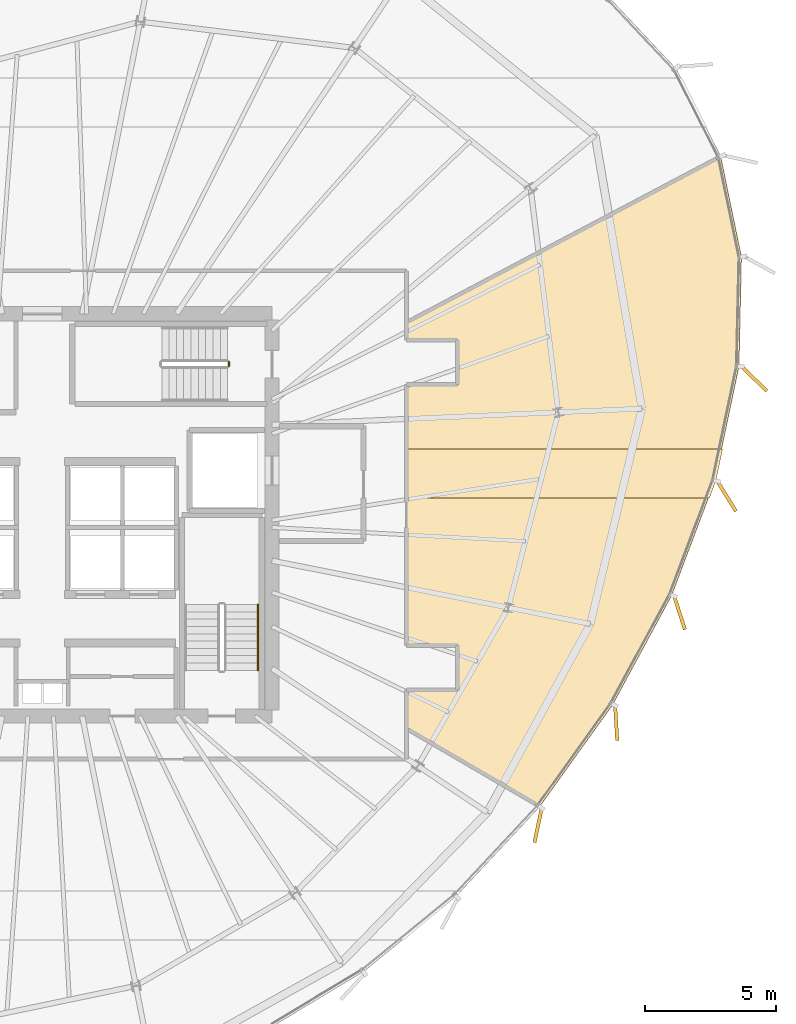
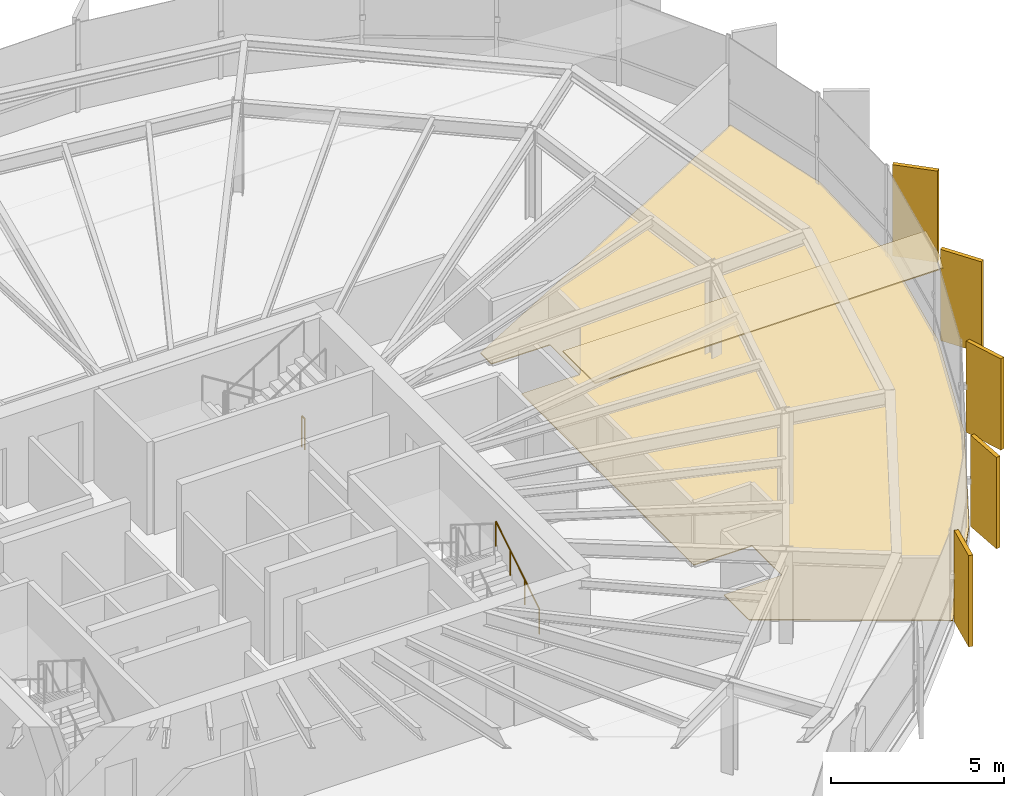
# One storey, part 35 of 36: 7 coverings, 2 railings.
"""IFC4 building model written with IfcOpenShell, lengths in metres."""

from ifc_helpers import new_model, si_unit, direction, frame, origin, origin_2d, place, context, subcontext, project, spatial, polyline, rectangle, circle, outline, extrude, source, transform, mapped, material, layer, layer_set, type_object, element, save


model = new_model("IFC4")

# Units and contexts
model_context = context("Model", 3, precision=1e-05, world=origin(), true_north=direction((0.0, 1.0)))
body_context = subcontext(model_context, "Body", "Model", "MODEL_VIEW")
ifc_project = project(units=[si_unit("LENGTHUNIT", "METRE"), si_unit("AREAUNIT", "SQUARE_METRE"), si_unit("VOLUMEUNIT", "CUBIC_METRE"), si_unit("PLANEANGLEUNIT", "RADIAN"), si_unit("MASSUNIT", "GRAM", prefix="KILO"), si_unit("THERMODYNAMICTEMPERATUREUNIT", "KELVIN")], contexts=[model_context])

# Site, building, storey
site_placement = place(None, origin())
site = spatial("IfcSite", under=ifc_project, at=site_placement, CompositionType="ELEMENT")
building_placement = place(site_placement, origin())
building = spatial("IfcBuilding", under=site, at=building_placement, Name="Kethvar Cultural Tower", CompositionType="ELEMENT")
storey_placement = place(building_placement, frame((0.0, 0.0, 176.39990234375)))
storey = spatial("IfcBuildingStorey", under=building, at=storey_placement, Name="L45", CompositionType="ELEMENT", Elevation=176.39990234375)

# Coverings
ifc_material_1 = material(Name="Acoustic Mineral Fibre Ceiling")
ifc_layer_1 = layer(ifc_material_1, 0.0400390625, Name="Acoustic Mineral Fibre Ceiling")
ifc_layer_set_1 = layer_set([ifc_layer_1], Name="Acoustic Mineral Fibre Ceiling (40 mm)")
covering_type_1 = type_object("IfcCoveringType", Name="CV-ACOUSTIC-CEIL", PredefinedType="CEILING", material=ifc_layer_set_1)
covering_1_placement = place(storey_placement, frame((0.0, 0.0, 3.0)))
element("IfcCovering", 1, at=covering_1_placement, inside=storey, type_object=covering_type_1, Name="L45 Room 03 Acoustic Ceiling Panel", PredefinedType="CEILING", context=body_context, shape_type="SweptSolid", body=[
    extrude(outline(polyline([(72.594482421875, 29.103515625), (72.35107421875, 28.456787109375), (60.72998046875, 28.456787109375), (60.72998046875, 30.326904296875), (72.851806640625, 30.326904296875), (72.594482421875, 29.103515625)])), origin(), (0.0, 0.0, 1.0), 0.0400390625),
])
ifc_material_2 = material(Name="Honed Warm Limestone", Category="masonry")
ifc_layer_2 = layer(ifc_material_2, 0.030029296875, Name="Honed Warm Limestone", Category="masonry")
ifc_layer_set_2 = layer_set([ifc_layer_2], Name="Honed Warm Limestone (30 mm)")
covering_type_2 = type_object("IfcCoveringType", Name="CV-STONE-FLOOR", PredefinedType="FLOORING", material=ifc_layer_set_2)
covering_2_placement = place(storey_placement, origin())
element("IfcCovering", 2, at=covering_2_placement, inside=storey, type_object=covering_type_2, Name="L45 Room 03 Floor Finish", PredefinedType="FLOORING", context=body_context, shape_type="SweptSolid", body=[
    extrude(outline(polyline([(73.571044921875, 37.68408203125), (73.47607421875, 33.49072265625), (72.5556640625, 29.113037109375), (70.904296875, 24.731689453125), (68.631591796875, 20.521484375), (65.857177734375, 16.6533203125), (60.77001953125, 19.635009765625), (60.77001953125, 21.080078125), (62.719970703125, 21.10009765625), (62.712646484375, 22.8154296875), (60.77001953125, 22.820068359375), (60.77001953125, 32.780029296875), (62.712646484375, 32.784423828125), (62.719970703125, 34.501953125), (60.77001953125, 34.52001953125), (60.77001953125, 35.15576171875), (72.782470703125, 41.500244140625), (73.571044921875, 37.68408203125)])), origin(), (0.0, 0.0, 1.0), 0.030029296875),
])

# Railings
ifc_material_3 = material(Name="Steel S355J2", Category="steel")
railing_type_1 = type_object("IfcRailingType", Name="RL-STAIR-GUARD", PredefinedType="BALUSTRADE", material=ifc_material_3)
railing_1_placement = place(storey_placement, frame((53.949951171875, 33.659912109375, 0.0)))
element("IfcRailing", 3, at=railing_1_placement, inside=storey, type_object=railing_type_1, Name="L45 ST-03 stair guard 4", PredefinedType="BALUSTRADE", context=body_context, shape_type="SweptSolid", body=[
    extrude(circle(Radius=0.02392578125, at=origin_2d()), frame((0.0, 0.0, 1.09619140625), z_axis=(0.0, -1.0, 0.0), x_axis=(1.0, 0.0, 0.0)), (0.0, 0.0, 1.0), 0.159912109375),
    extrude(circle(Radius=0.02099609375, at=origin_2d()), origin(), (0.0, 0.0, 1.0), 1.072021484375),
    extrude(circle(Radius=0.02099609375, at=origin_2d()), frame((0.0, -0.159912109375, 0.0)), (0.0, 0.0, 1.0), 1.072021484375),
])
railing_type_2 = type_object("IfcRailingType", Name="RL-STAIR-HANDRAIL", PredefinedType="HANDRAIL", material=ifc_material_3)
railing_2_placement = place(storey_placement, frame((55.06005859375, 21.85009765625, 0.175048828125)))
element("IfcRailing", 4, at=railing_2_placement, inside=storey, type_object=railing_type_2, Name="L45 ST-02 stair handrail 1", PredefinedType="HANDRAIL", context=body_context, shape_type="SweptSolid", body=[
    extrude(circle(Radius=0.02392578125, at=origin_2d()), frame((0.0, 0.0, 0.8759765625), z_axis=(0.0, 0.848007534815, 0.529984170421), x_axis=(-1.0, 0.0, 0.0)), (0.0, 0.0, 1.0), 2.9716796875),
    extrude(circle(Radius=0.02099609375, at=origin_2d()), origin(), (0.0, 0.0, 1.0), 0.851806640625),
    extrude(circle(Radius=0.02099609375, at=origin_2d()), frame((0.0, 0.840087890625, 0.52490234375)), (0.0, 0.0, 1.0), 0.851806640625),
    extrude(circle(Radius=0.02099609375, at=origin_2d()), frame((0.0, 1.679931640625, 1.050048828125)), (0.0, 0.0, 1.0), 0.851806640625),
    extrude(circle(Radius=0.02099609375, at=origin_2d()), frame((0.0, 2.52001953125, 1.574951171875)), (0.0, 0.0, 1.0), 0.851806640625),
])

# Coverings
ifc_material_4 = material(Name="Extruded Architectural Terracotta", Category="masonry")
ifc_layer_3 = layer(ifc_material_4, 0.135009765625, Name="Extruded Architectural Terracotta", Category="masonry")
ifc_layer_set_3 = layer_set([ifc_layer_3], Name="Extruded Architectural Terracotta (135 mm)")
covering_type_3 = type_object("IfcCoveringType", Name="Terracotta Facade Fin FIN-03", PredefinedType="CLADDING", material=ifc_layer_set_3)
shared_shape = source(origin(), body_context, "Body", "SweptSolid", [
    extrude(rectangle(XDim=1.35009765625, YDim=0.135009765625, at=origin_2d()), origin(), (0.0, 0.0, 1.0), 3.219970703125),
])
for number, where, z_axis, x_axis, name in (
    (5, (65.7880859375, 15.919921875, 0.02001953125), (0.0, 0.0, 1.0), (-0.206887263232, -0.978364788978, 0.0), "L45 Vertical Terracotta Fin 5.6"),
    (6, (68.778076171875, 19.83349609375, 0.02001953125), (0.0, 0.0, 1.0), (0.059829042574, -0.998208638344, 0.0), "L45 Vertical Terracotta Fin 6.1"),
    (7, (71.2041015625, 24.052490234375, 0.02001953125), (0.0, 0.0, 1.0), (0.306193796821, -0.951969200546, 0.0), "L45 Vertical Terracotta Fin 6.2"),
    (8, (73.00830078125, 28.51708984375, 0.02001953125), (0.0, 0.0, 1.0), (0.526213923652, -0.850352224996, 0.0), "L45 Vertical Terracotta Fin 6.3"),
    (9, (74.060791015625, 33.01708984375, 0.02001953125), (0.0, 0.0, 1.0), (0.718126297763, -0.695912796592, 0.0), "L45 Vertical Terracotta Fin 6.4"),
):
    element("IfcCovering", number, at=place(storey_placement, frame(where, z_axis=z_axis, x_axis=x_axis)), inside=storey, type_object=covering_type_3, Name=name, PredefinedType="CLADDING", context=body_context, shape_type="MappedRepresentation", body=[
        mapped(shared_shape, transform((0.0, 0.0, 0.0), scale=1.0)),
    ])

save(model, "model.ifc")
